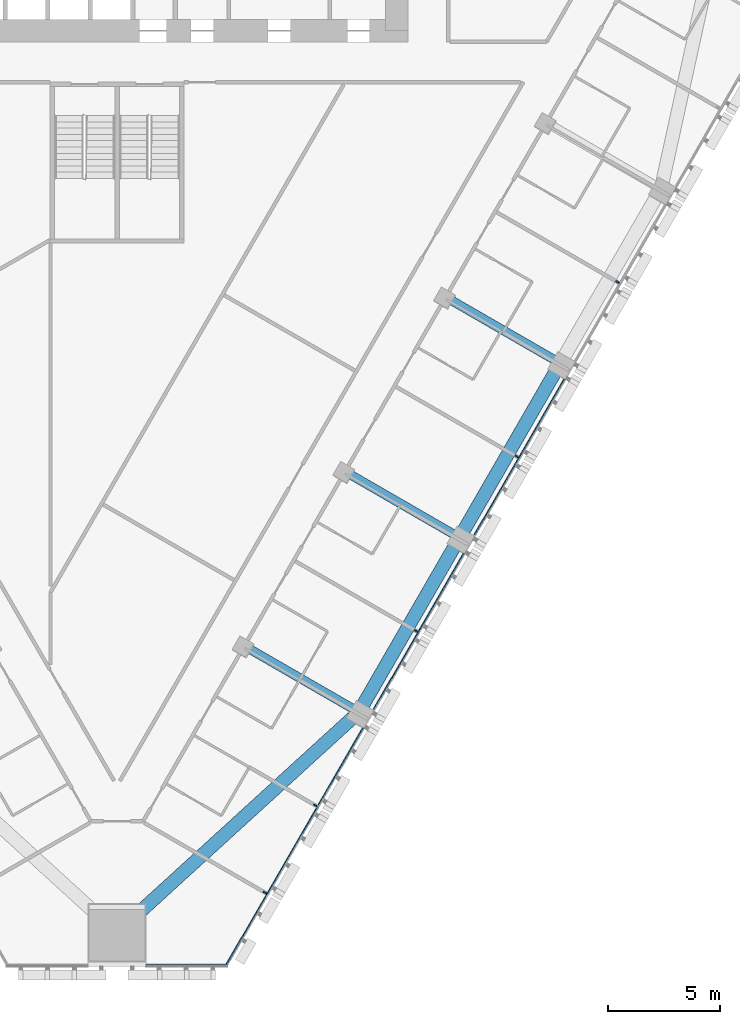
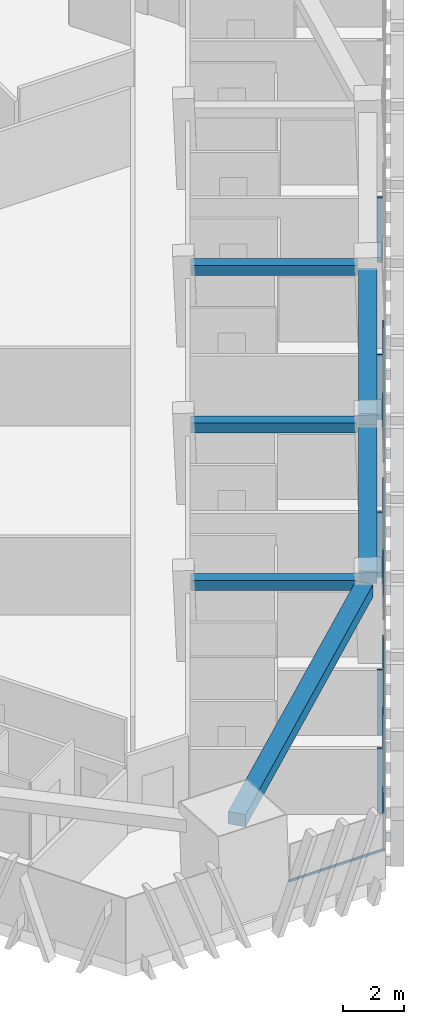
# One storey, part 4 of 18: 9 members, 6 beams, 2 elements without a shape of their own.
"""IFC4 building model written with IfcOpenShell, lengths in metres."""

from ifc_helpers import new_model, si_unit, direction, frame, origin, origin_2d, place, context, subcontext, project, spatial, rectangle, extrude, material, layer, layer_set, material_profile, profile_set, type_object, element, aggregate, save


model = new_model("IFC4")

# Units and contexts
model_context = context("Model", 3, precision=1e-05, world=origin(), true_north=direction((0.0, 1.0)))
body_context = subcontext(model_context, "Body", "Model", "MODEL_VIEW")
ifc_project = project(units=[si_unit("LENGTHUNIT", "METRE"), si_unit("AREAUNIT", "SQUARE_METRE"), si_unit("VOLUMEUNIT", "CUBIC_METRE"), si_unit("PLANEANGLEUNIT", "RADIAN"), si_unit("MASSUNIT", "GRAM", prefix="KILO")], contexts=[model_context])

# Site, building, storey
site_placement = place(None, origin())
site = spatial("IfcSite", under=ifc_project, at=site_placement, CompositionType="ELEMENT")
building_placement = place(site_placement, origin())
building = spatial("IfcBuilding", under=site, at=building_placement, Name="Altiplano Prism Tower", CompositionType="ELEMENT")
storey_placement = place(building_placement, frame((0.0, 0.0, 34.199951171875)))
storey = spatial("IfcBuildingStorey", under=building, at=storey_placement, Name="L07", CompositionType="ELEMENT", Elevation=34.199951171875)

# Curtain wall, members
ifc_material_1 = material(Name="Aluminium and glass", Category="aluminium")
ifc_layer = layer(ifc_material_1, 0.280029296875)
ifc_layer_set = layer_set([ifc_layer], Name="Aluminium and glass")
curtain_wall_type = type_object("IfcCurtainWallType", Name="CW1 typical co-living unitised curtain wall", PredefinedType="NOTDEFINED", material=ifc_layer_set)
curtain_wall_1_placement = place(storey_placement, origin())
curtain_wall_1 = element("IfcCurtainWall", 1, at=curtain_wall_1_placement, inside=storey, type_object=curtain_wall_type, Name="CW1 curtain wall south-east face L07", PredefinedType="NOTDEFINED")
ifc_material_2 = material(Name="Aluminium", Category="aluminium")
ifc_material_profile_1 = material_profile(ifc_material_2, rectangle(XDim=0.179931640625, YDim=0.06494140625, at=origin_2d()), Name="CW1 mullion 65 x 180")
ifc_profile_set_1 = profile_set([ifc_material_profile_1], Name="Aluminium")
member_type_1 = type_object("IfcMemberType", Name="CW1 mullion 65 x 180", PredefinedType="MULLION", material=ifc_profile_set_1)
member_1_placement = place(storey_placement, frame((91.612060546875, 54.386474609375, 0.0), z_axis=(0.0, 0.0, 1.0), x_axis=(-0.866025410216, 0.49999998886, 0.0)))
member_1 = element("IfcMember", 2, at=member_1_placement, type_object=member_type_1, Name="CW1 mullion", PredefinedType="MULLION", context=body_context, shape_type="SweptSolid", body=[
    extrude(rectangle(XDim=0.179931640625, YDim=0.06494140625, at=origin_2d()), origin(), (0.0, 0.0, 1.0), 2.60009765625),
])
member_2_placement = place(storey_placement, frame((93.862060546875, 58.28369140625, 0.0), z_axis=(0.0, 0.0, 1.0), x_axis=(-0.866025410216, 0.49999998886, 0.0)))
member_2 = element("IfcMember", 3, at=member_2_placement, type_object=member_type_1, Name="CW1 mullion", PredefinedType="MULLION", context=body_context, shape_type="SweptSolid", body=[
    extrude(rectangle(XDim=0.179931640625, YDim=0.06494140625, at=origin_2d()), origin(), (0.0, 0.0, 1.0), 2.60009765625),
])
member_3_placement = place(storey_placement, frame((98.362060546875, 66.077880859375, 0.0), z_axis=(0.0, 0.0, 1.0), x_axis=(-0.866025410216, 0.49999998886, 0.0)))
member_3 = element("IfcMember", 4, at=member_3_placement, type_object=member_type_1, Name="CW1 mullion", PredefinedType="MULLION", context=body_context, shape_type="SweptSolid", body=[
    extrude(rectangle(XDim=0.179931640625, YDim=0.06494140625, at=origin_2d()), origin(), (0.0, 0.0, 1.0), 2.60009765625),
])
member_4_placement = place(storey_placement, frame((102.862060546875, 73.8720703125, 0.0), z_axis=(0.0, 0.0, 1.0), x_axis=(-0.866025410216, 0.49999998886, 0.0)))
member_4 = element("IfcMember", 5, at=member_4_placement, type_object=member_type_1, Name="CW1 mullion", PredefinedType="MULLION", context=body_context, shape_type="SweptSolid", body=[
    extrude(rectangle(XDim=0.179931640625, YDim=0.06494140625, at=origin_2d()), origin(), (0.0, 0.0, 1.0), 2.60009765625),
])
member_5_placement = place(storey_placement, frame((107.362060546875, 81.666259765625, 0.0), z_axis=(0.0, 0.0, 1.0), x_axis=(-0.866025410216, 0.49999998886, 0.0)))
member_5 = element("IfcMember", 6, at=member_5_placement, type_object=member_type_1, Name="CW1 mullion", PredefinedType="MULLION", context=body_context, shape_type="SweptSolid", body=[
    extrude(rectangle(XDim=0.179931640625, YDim=0.06494140625, at=origin_2d()), origin(), (0.0, 0.0, 1.0), 2.60009765625),
])

# Curtain wall, member
curtain_wall_2_placement = place(storey_placement, origin())
curtain_wall_2 = element("IfcCurtainWall", 7, at=curtain_wall_2_placement, inside=storey, type_object=curtain_wall_type, Name="CW1 curtain wall south chamfer L07", PredefinedType="NOTDEFINED")
ifc_material_profile_2 = material_profile(ifc_material_2, rectangle(XDim=0.06005859375, YDim=0.080078125, at=origin_2d()), Name="CW1 transom 80 x 60")
ifc_profile_set_2 = profile_set([ifc_material_profile_2], Name="Aluminium")
member_type_2 = type_object("IfcMemberType", Name="CW1 transom 80 x 60", PredefinedType="USERDEFINED", material=ifc_profile_set_2)
member_6_placement = place(storey_placement, frame((86.300048828125, 51.151123046875, 1.10009765625), z_axis=(1.0, 0.0, 0.0), x_axis=(0.0, 1.0, 0.0)))
member_6 = element("IfcMember", 8, at=member_6_placement, type_object=member_type_2, Name="CW1 transom", ObjectType="TRANSOM", PredefinedType="USERDEFINED", context=body_context, shape_type="SweptSolid", body=[
    extrude(rectangle(XDim=0.06005859375, YDim=0.080078125, at=origin_2d()), origin(), (0.0, 0.0, 1.0), 3.623046875),
])
aggregate(curtain_wall_2, [member_6])

# Member
member_7_placement = place(storey_placement, frame((89.8623046875, 51.1162109375, 1.10009765625), z_axis=(0.500001788232, 0.866024371346, 0.0), x_axis=(-0.866024371346, 0.500001788232, 0.0)))
member_7 = element("IfcMember", 9, at=member_7_placement, type_object=member_type_2, Name="CW1 transom", ObjectType="TRANSOM", PredefinedType="USERDEFINED", context=body_context, shape_type="SweptSolid", body=[
    extrude(rectangle(XDim=0.06005859375, YDim=0.080078125, at=origin_2d()), origin(), (0.0, 0.0, 1.0), 12.25634765625),
])

member_8_placement = place(storey_placement, frame((96.480712890625, 62.579345703125, 1.10009765625), z_axis=(0.499989486807, 0.866031473494, 0.0), x_axis=(-0.866031473494, 0.499989486807, 0.0)))
member_8 = element("IfcMember", 10, at=member_8_placement, type_object=member_type_2, Name="CW1 transom", ObjectType="TRANSOM", PredefinedType="USERDEFINED", context=body_context, shape_type="SweptSolid", body=[
    extrude(rectangle(XDim=0.06005859375, YDim=0.080078125, at=origin_2d()), origin(), (0.0, 0.0, 1.0), 8.019775390625),
])

member_9_placement = place(storey_placement, frame((100.980712890625, 70.37353515625, 1.10009765625), z_axis=(0.499989486807, 0.866031473494, 0.0), x_axis=(-0.866031473494, 0.499989486807, 0.0)))
member_9 = element("IfcMember", 11, at=member_9_placement, type_object=member_type_2, Name="CW1 transom", ObjectType="TRANSOM", PredefinedType="USERDEFINED", context=body_context, shape_type="SweptSolid", body=[
    extrude(rectangle(XDim=0.06005859375, YDim=0.080078125, at=origin_2d()), origin(), (0.0, 0.0, 1.0), 8.019775390625),
])

aggregate(curtain_wall_1, [member_1, member_2, member_7, member_3, member_8, member_4, member_9, member_5])

# Beams
ifc_material_3 = material(Name="Concrete C60/75", Category="concrete")
ifc_material_profile_3 = material_profile(ifc_material_3, rectangle(XDim=0.60009765625, YDim=0.5, at=origin_2d()), Name="Edge beam 600x500")
ifc_profile_set_3 = profile_set([ifc_material_profile_3], Name="Concrete C60/75")
beam_type_1 = type_object("IfcBeamType", Name="Edge beam 600x500", PredefinedType="SPANDREL", material=ifc_profile_set_3)
beam_placement = place(storey_placement, frame((85.33251953125, 52.894775390625, 2.85009765625), z_axis=(0.738801964794, 0.673922589632, 0.0), x_axis=(-0.673922589632, 0.738801964794, 0.0)))
element("IfcBeam", 12, at=beam_placement, inside=storey, type_object=beam_type_1, Name="Edge beam M1-P21 L08", PredefinedType="SPANDREL", context=body_context, shape_type="SweptSolid", body=[
    extrude(rectangle(XDim=0.60009765625, YDim=0.5, at=origin_2d()), origin(), (0.0, 0.0, 1.0), 13.8251953125),
])
for number, where, z_axis, x_axis, name in (
    (13, (95.971923828125, 62.735107421875, 2.85009765625), (0.499992746786, 0.866029591389, 0.0), (-0.866029591389, 0.499992746786, 0.0), "Edge beam P21-P22 L08"),
    (14, (100.471923828125, 70.529296875, 2.85009765625), (0.499992746786, 0.866029591389, 0.0), (-0.866029591389, 0.499992746786, 0.0), "Edge beam P22-P23 L08"),
):
    element("IfcBeam", number, at=place(storey_placement, frame(where, z_axis=z_axis, x_axis=x_axis)), inside=storey, type_object=beam_type_1, Name=name, PredefinedType="SPANDREL", context=body_context, shape_type="SweptSolid", body=[
        extrude(rectangle(XDim=0.60009765625, YDim=0.5, at=origin_2d()), origin(), (0.0, 0.0, 1.0), 8.33984375),
    ])
ifc_material_profile_4 = material_profile(ifc_material_3, rectangle(XDim=0.39990234375, YDim=0.39990234375, at=origin_2d()), Name="Tie beam 400x400")
ifc_profile_set_4 = profile_set([ifc_material_profile_4], Name="Concrete C60/75")
beam_type_2 = type_object("IfcBeamType", Name="Tie beam 400x400", PredefinedType="BEAM", material=ifc_profile_set_4)
for number, where, z_axis, x_axis, name in (
    (15, (90.7666015625, 65.359375, 2.900146484375), (0.866012292785, -0.50002270823, 0.0), (0.50002270823, 0.866012292785, 0.0), "Tie beam I21 L08"),
    (16, (95.2666015625, 73.153564453125, 2.900146484375), (0.866012292785, -0.50002270823, 0.0), (0.50002270823, 0.866012292785, 0.0), "Tie beam I22 L08"),
    (17, (99.7666015625, 80.94775390625, 2.900146484375), (0.866012292785, -0.50002270823, 0.0), (0.50002270823, 0.866012292785, 0.0), "Tie beam I23 L08"),
):
    element("IfcBeam", number, at=place(storey_placement, frame(where, z_axis=z_axis, x_axis=x_axis)), inside=storey, type_object=beam_type_2, Name=name, PredefinedType="BEAM", context=body_context, shape_type="SweptSolid", body=[
        extrude(rectangle(XDim=0.39990234375, YDim=0.39990234375, at=origin_2d()), origin(), (0.0, 0.0, 1.0), 5.489990234375),
    ])

save(model, "model.ifc")
